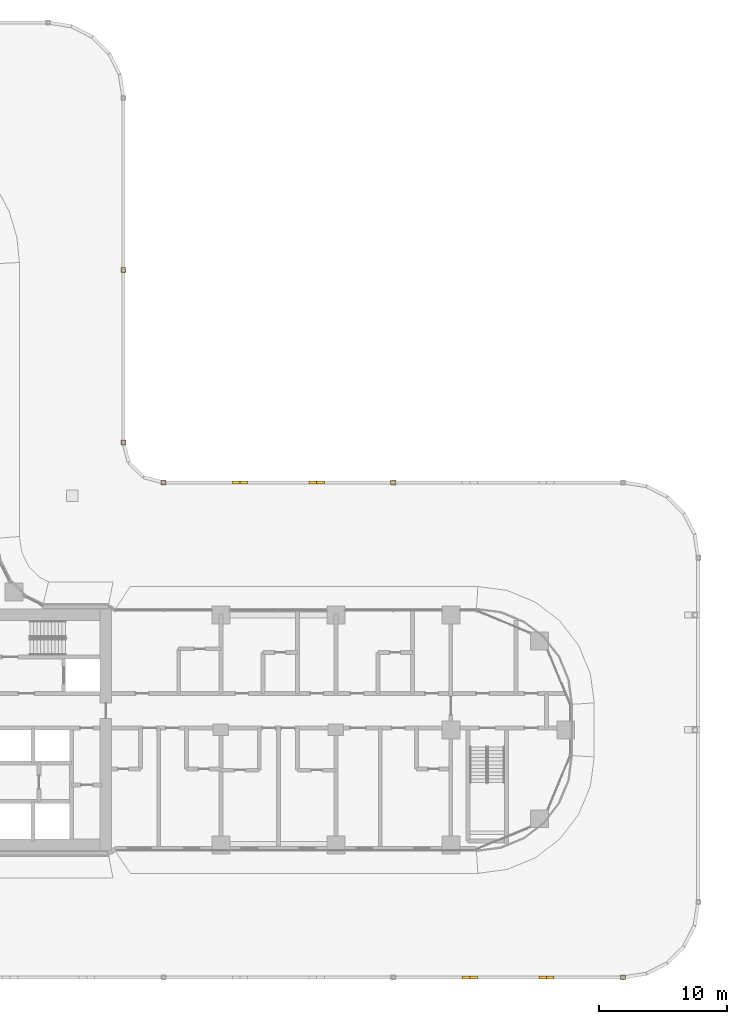
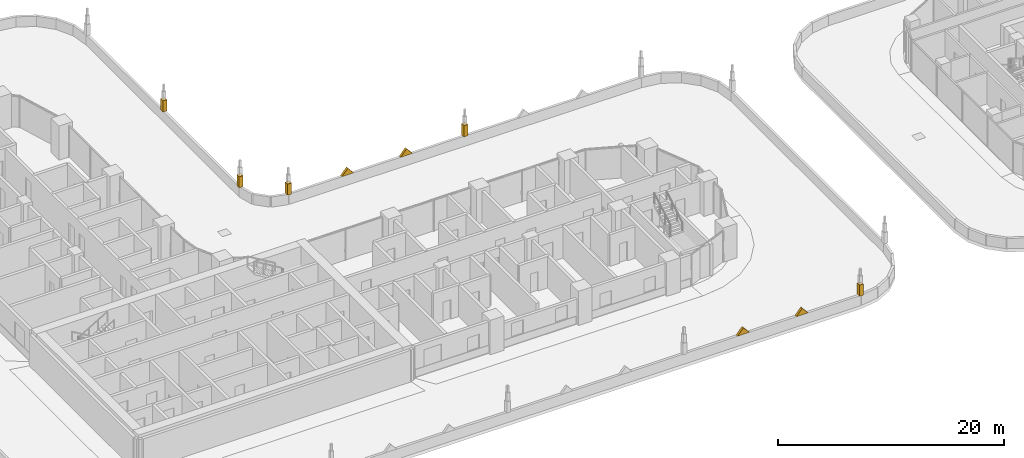
# One storey, part 42 of 51: 9 coverings.
"""IFC4 building model written with IfcOpenShell, lengths in metres."""

import ifcopenshell
import ifcopenshell.guid

model = None  # the IFC model being written
_history = None  # IfcOwnerHistory: only IFC2X3 demands one
_inside = {}  # id of a spatial element -> (the spatial element, [elements in it])
_under = {}  # id of a project, library or spatial element -> (it, [spatial elements below it])
_declared = {}  # id of a project -> (the project, [libraries it declares])
_typed = {}  # id of a type object -> (the type object, [elements of that type])
_made_of = {}  # id of a material, layer set ... -> (it, [elements and type objects made of it])


def new_model(schema):
    """Start an empty IFC model of exactly this schema.

    Asked for "IFC4X3", IfcOpenShell would pick the latest addendum, in which some entities
    have other attributes; the version numbers below select the first issue.
    IFC2X3 requires an IfcOwnerHistory on every rooted entity: one is made here for all.
    """
    global model, _history
    if schema == "IFC4X3":
        model = ifcopenshell.file(schema_version=(4, 3, 0, 0))
    else:
        model = ifcopenshell.file(schema=schema)
    _inside.clear()
    _under.clear()
    _declared.clear()
    _typed.clear()
    _made_of.clear()
    _history = None
    if model.schema == "IFC2X3":
        org = make("IfcOrganization", Name="unknown")
        user = make(
            "IfcPersonAndOrganization",
            ThePerson=make("IfcPerson", FamilyName="unknown"),
            TheOrganization=org,
        )
        app = make(
            "IfcApplication",
            ApplicationDeveloper=org,
            Version="unknown",
            ApplicationFullName="unknown",
            ApplicationIdentifier="unknown",
        )
        _history = make(
            "IfcOwnerHistory",
            OwningUser=user,
            OwningApplication=app,
            ChangeAction="ADDED",
            CreationDate=0,
        )
    return model


def make(cls, **values):
    """One entity of the class cls with the attributes given. An attribute that is None is left unset."""
    return model.create_entity(
        cls, **{name: value for name, value in values.items() if value is not None}
    )


def rooted(cls, **values):
    """An entity with a GlobalId (a new one), such as an element, a storey or a relation."""
    return make(cls, GlobalId=ifcopenshell.guid.new(), OwnerHistory=_history, **values)


def si_unit(unit_type, name, prefix=None):
    """IfcSIUnit, for example si_unit("LENGTHUNIT", "METRE", prefix="MILLI")."""
    return make("IfcSIUnit", UnitType=unit_type, Prefix=prefix, Name=name)


def assignment(units):
    """IfcUnitAssignment: the units of a project."""
    return None if units is None else make("IfcUnitAssignment", Units=units)


def point(xyz):
    """IfcCartesianPoint."""
    return None if xyz is None else make("IfcCartesianPoint", Coordinates=xyz)


def direction(xyz):
    """IfcDirection."""
    return None if xyz is None else make("IfcDirection", DirectionRatios=xyz)


def frame(location, z_axis=None, x_axis=None):
    """IfcAxis2Placement3D, a coordinate frame: its origin and axes. An axis left out is left unset."""
    return make(
        "IfcAxis2Placement3D",
        Location=point(location),
        Axis=direction(z_axis),
        RefDirection=direction(x_axis),
    )


def frame_2d(location, x_axis=None):
    """IfcAxis2Placement2D, a coordinate frame in the plane: its origin and x axis."""
    return make(
        "IfcAxis2Placement2D", Location=point(location), RefDirection=direction(x_axis)
    )


def origin():
    """The frame at (0, 0, 0) with its axes left unset."""
    return frame((0.0, 0.0, 0.0))


def origin_2d():
    """The frame at (0, 0) in the plane with its x axis left unset."""
    return frame_2d((0.0, 0.0))


def place(relative_to, where):
    """IfcLocalPlacement: puts the frame where relative to a parent placement (None: the world)."""
    return make(
        "IfcLocalPlacement", PlacementRelTo=relative_to, RelativePlacement=where
    )


def context(
    kind, dimensions, precision=None, world=None, true_north=None, identifier=None
):
    """IfcGeometricRepresentationContext, for example the 3D "Model" context."""
    return make(
        "IfcGeometricRepresentationContext",
        ContextIdentifier=identifier,
        ContextType=kind,
        CoordinateSpaceDimension=dimensions,
        Precision=precision,
        WorldCoordinateSystem=world,
        TrueNorth=true_north,
    )


def subcontext(parent, identifier, kind, view, scale=None):
    """IfcGeometricRepresentationSubContext, for example "Body" below "Model"."""
    return make(
        "IfcGeometricRepresentationSubContext",
        ContextIdentifier=identifier,
        ContextType=kind,
        ParentContext=parent,
        TargetScale=scale,
        TargetView=view,
    )


def project(units=None, contexts=None):
    """IfcProject with its units and contexts."""
    return rooted(
        "IfcProject",
        Name="project",
        RepresentationContexts=contexts,
        UnitsInContext=assignment(units),
    )


def spatial(cls, under=None, at=None, **own):
    """A site, building, storey or space (cls), placed at a placement, below another one or the project."""
    s = rooted(cls, ObjectPlacement=at, **own)
    if under is not None:
        _under.setdefault(under.id(), (under, []))[1].append(s)
    return s


def polyline(points):
    """IfcPolyline through the points."""
    return make("IfcPolyline", Points=[point(p) for p in points])


def profile(cls, at=None, kind="AREA", **sizes):
    """A parametric profile (cls). Its sizes go by their IFC names, for example OverallWidth=200.0."""
    return make(cls, ProfileType=kind, Position=at, **sizes)


def rectangle(**sizes):
    """IfcRectangleProfileDef."""
    return profile("IfcRectangleProfileDef", **sizes)


def outline(outer, holes=None, kind="AREA"):
    """IfcArbitraryClosedProfileDef: a profile drawn as a closed curve; with holes, ...WithVoids."""
    if holes is None:
        return make("IfcArbitraryClosedProfileDef", ProfileType=kind, OuterCurve=outer)
    return make(
        "IfcArbitraryProfileDefWithVoids",
        ProfileType=kind,
        OuterCurve=outer,
        InnerCurves=holes,
    )


def extrude(swept, where, along, depth):
    """IfcExtrudedAreaSolid: the profile swept, set in the frame where, extruded along a direction by depth."""
    return make(
        "IfcExtrudedAreaSolid",
        SweptArea=swept,
        Position=where,
        ExtrudedDirection=direction(along),
        Depth=depth,
    )


def shape(context_of_items, identifier, shape_type, items):
    """IfcShapeRepresentation: the items that make up one representation, for example the "Body"."""
    return make(
        "IfcShapeRepresentation",
        ContextOfItems=context_of_items,
        RepresentationIdentifier=identifier,
        RepresentationType=shape_type,
        Items=items,
    )


def material(Name=None, Category=None):
    """IfcMaterial."""
    return make("IfcMaterial", Name=Name, Category=Category)


def layer(
    of_material, thickness, ventilated=None, Name=None, Category=None, Priority=None
):
    """IfcMaterialLayer: one layer of a wall or slab, of a material (None: an air gap)."""
    return make(
        "IfcMaterialLayer",
        Material=of_material,
        LayerThickness=thickness,
        IsVentilated=ventilated,
        Name=Name,
        Category=Category,
        Priority=Priority,
    )


def layer_set(layers, Name=None):
    """IfcMaterialLayerSet."""
    return make("IfcMaterialLayerSet", MaterialLayers=layers, LayerSetName=Name)


def made_of(thing, what):
    """Note that an element or type object is made of a material, layer set ...; save() writes the relation."""
    if what is not None:
        _made_of.setdefault(what.id(), (what, []))[1].append(thing)
    return thing


def type_object(cls, material=None, **own):
    """A type object (cls), such as IfcWallType, which elements share."""
    return made_of(rooted(cls, **own), material)


def element(
    cls,
    number,
    at=None,
    inside=None,
    cuts=None,
    type_object=None,
    material=None,
    context=None,
    identifier="Body",
    shape_type=None,
    held_by="IfcProductDefinitionShape",
    body=None,
    shapes=None,
    **own,
):
    """One element of the class cls, such as IfcWall. Its Tag is "e" and its number.

    at: its placement. inside: the storey or other place that contains it. cuts: it is an
    opening in that element (IfcRelVoidsElement). A single representation is given by context,
    identifier, shape_type and body (its items); several are given by shapes. held_by: the class
    of the entity that holds the representations. save() writes the other relations.
    """
    e = rooted(cls, Tag="e%d" % number, ObjectPlacement=at, **own)
    if body is not None:
        shapes = [shape(context, identifier, shape_type, body)]
    if shapes is not None:
        e.Representation = make(held_by, Representations=shapes)
    if inside is not None:
        _inside.setdefault(inside.id(), (inside, []))[1].append(e)
    if cuts is not None:
        rooted(
            "IfcRelVoidsElement", RelatingBuildingElement=cuts, RelatedOpeningElement=e
        )
    if type_object is not None:
        _typed.setdefault(type_object.id(), (type_object, []))[1].append(e)
    return made_of(e, material)


def aggregate(whole, parts):
    """IfcRelAggregates: a whole, such as a stair, and the parts it consists of."""
    return rooted("IfcRelAggregates", RelatingObject=whole, RelatedObjects=parts)


def save(model, path):
    """Write the relations noted so far, then the file.

    IfcRelAggregates (storeys below a building ...), IfcRelContainedInSpatialStructure (elements
    in a storey), IfcRelDefinesByType, IfcRelAssociatesMaterial and IfcRelDeclares: one each for
    every whole, place, type object, material and project.
    """
    for whole, parts in _under.values():
        aggregate(whole, parts)
    for where, things in _inside.values():
        rooted(
            "IfcRelContainedInSpatialStructure",
            RelatedElements=things,
            RelatingStructure=where,
        )
    for kind, things in _typed.values():
        rooted("IfcRelDefinesByType", RelatedObjects=things, RelatingType=kind)
    for what, things in _made_of.values():
        rooted("IfcRelAssociatesMaterial", RelatedObjects=things, RelatingMaterial=what)
    for by, libraries in _declared.values():
        rooted("IfcRelDeclares", RelatingContext=by, RelatedDefinitions=libraries)
    model.write(path)


model = new_model("IFC4")

# Units and contexts
model_context = context("Model", 3, precision=1e-05, world=origin(), true_north=direction((0.0, 1.0)))
body_context = subcontext(model_context, "Body", "Model", "MODEL_VIEW")
ifc_project = project(units=[si_unit("LENGTHUNIT", "METRE"), si_unit("AREAUNIT", "SQUARE_METRE"), si_unit("VOLUMEUNIT", "CUBIC_METRE"), si_unit("PLANEANGLEUNIT", "RADIAN"), si_unit("MASSUNIT", "GRAM", prefix="KILO")], contexts=[model_context])

# Site, building, storey
site_placement = place(None, origin())
site = spatial("IfcSite", under=ifc_project, at=site_placement, CompositionType="ELEMENT")
building_placement = place(site_placement, origin())
building = spatial("IfcBuilding", under=site, at=building_placement, Name="Ogive Portal Towers", CompositionType="ELEMENT")
storey_placement = place(building_placement, frame((0.0, 0.0, 33.5)))
storey = spatial("IfcBuildingStorey", under=building, at=storey_placement, Name="L06", CompositionType="ELEMENT", Elevation=33.5)

# Coverings
ifc_material = material(Name="Limestone cladding on lightweight block wall", Category="masonry")
ifc_layer_1 = layer(ifc_material, 0.300048828125)
ifc_layer_set_1 = layer_set([ifc_layer_1], Name="PARAPET GABLE STONE")
covering_type_1 = type_object("IfcCoveringType", Name="PARAPET GABLE STONE", PredefinedType="CLADDING", material=ifc_layer_set_1)
covering_1_placement = place(storey_placement, frame((86.386962890625, 11.0, 1.10009765625), z_axis=(0.0, -1.0, 0.0), x_axis=(1.0, 0.0, 0.0)))
element("IfcCovering", 1, at=covering_1_placement, inside=storey, type_object=covering_type_1, Name="PARAPET GABLE", PredefinedType="CLADDING", context=body_context, shape_type="SweptSolid", body=[
    extrude(outline(polyline([(0.0, 0.0), (1.199951171875, 0.0), (0.599853515625, 0.699951171875), (0.0, 0.0)])), origin(), (0.0, 0.0, -1.0), 0.25),
])
covering_2_placement = place(storey_placement, frame((92.383544921875, 11.0, 1.10009765625), z_axis=(0.0, -1.0, 0.0), x_axis=(1.0, 0.0, 0.0)))
element("IfcCovering", 2, at=covering_2_placement, inside=storey, type_object=covering_type_1, Name="PARAPET GABLE", PredefinedType="CLADDING", context=body_context, shape_type="SweptSolid", body=[
    extrude(outline(polyline([(0.0, 0.0), (1.199951171875, 0.0), (0.60009765625, 0.699951171875), (0.0, 0.0)])), origin(), (0.0, 0.0, -1.0), 0.25),
])
covering_3_placement = place(storey_placement, frame((68.396728515625, 49.75, 1.10009765625), z_axis=(0.0, -1.0, 0.0), x_axis=(1.0, 0.0, 0.0)))
element("IfcCovering", 3, at=covering_3_placement, inside=storey, type_object=covering_type_1, Name="PARAPET GABLE", PredefinedType="CLADDING", context=body_context, shape_type="SweptSolid", body=[
    extrude(outline(polyline([(0.0, 0.0), (1.199951171875, 0.0), (0.599853515625, 0.699951171875), (0.0, 0.0)])), origin(), (0.0, 0.0, -1.0), 0.25),
])
covering_4_placement = place(storey_placement, frame((74.393310546875, 49.75, 1.10009765625), z_axis=(0.0, -1.0, 0.0), x_axis=(1.0, 0.0, 0.0)))
element("IfcCovering", 4, at=covering_4_placement, inside=storey, type_object=covering_type_1, Name="PARAPET GABLE", PredefinedType="CLADDING", context=body_context, shape_type="SweptSolid", body=[
    extrude(outline(polyline([(0.0, 0.0), (1.2001953125, 0.0), (0.60009765625, 0.699951171875), (0.0, 0.0)])), origin(), (0.0, 0.0, -1.0), 0.25),
])
ifc_layer_2 = layer(ifc_material, 0.39990234375)
ifc_layer_set_2 = layer_set([ifc_layer_2], Name="PINNACLE SHAFT STONE")
covering_type_2 = type_object("IfcCoveringType", Name="PINNACLE SHAFT STONE", PredefinedType="CLADDING", material=ifc_layer_set_2)
for number, where, z_axis, x_axis, name in (
    (5, (98.980224609375, 11.125, 1.10009765625), (0.0, 0.0, 1.0), (1.0, 0.0, 0.0), "PINNACLE"),
    (6, (80.990234375, 49.875, 1.10009765625), (0.0, 0.0, 1.0), (1.0, 0.0, 0.0), "PINNACLE"),
    (7, (63.0, 49.875, 1.10009765625), (0.0, 0.0, 1.0), (1.0, 0.0, 0.0), "PINNACLE"),
    (8, (59.875, 53.0, 1.10009765625), (0.0, 0.0, 1.0), (1.0, 0.0, 0.0), "PINNACLE"),
    (9, (59.875, 66.490234375, 1.10009765625), (0.0, 0.0, 1.0), (1.0, 0.0, 0.0), "PINNACLE"),
):
    element("IfcCovering", number, at=place(storey_placement, frame(where, z_axis=z_axis, x_axis=x_axis)), inside=storey, type_object=covering_type_2, Name=name, PredefinedType="CLADDING", context=body_context, shape_type="SweptSolid", body=[
        extrude(rectangle(XDim=0.39990234375, YDim=0.39990234375, at=origin_2d()), origin(), (0.0, 0.0, 1.0), 1.199951171875),
    ])

save(model, "model.ifc")
